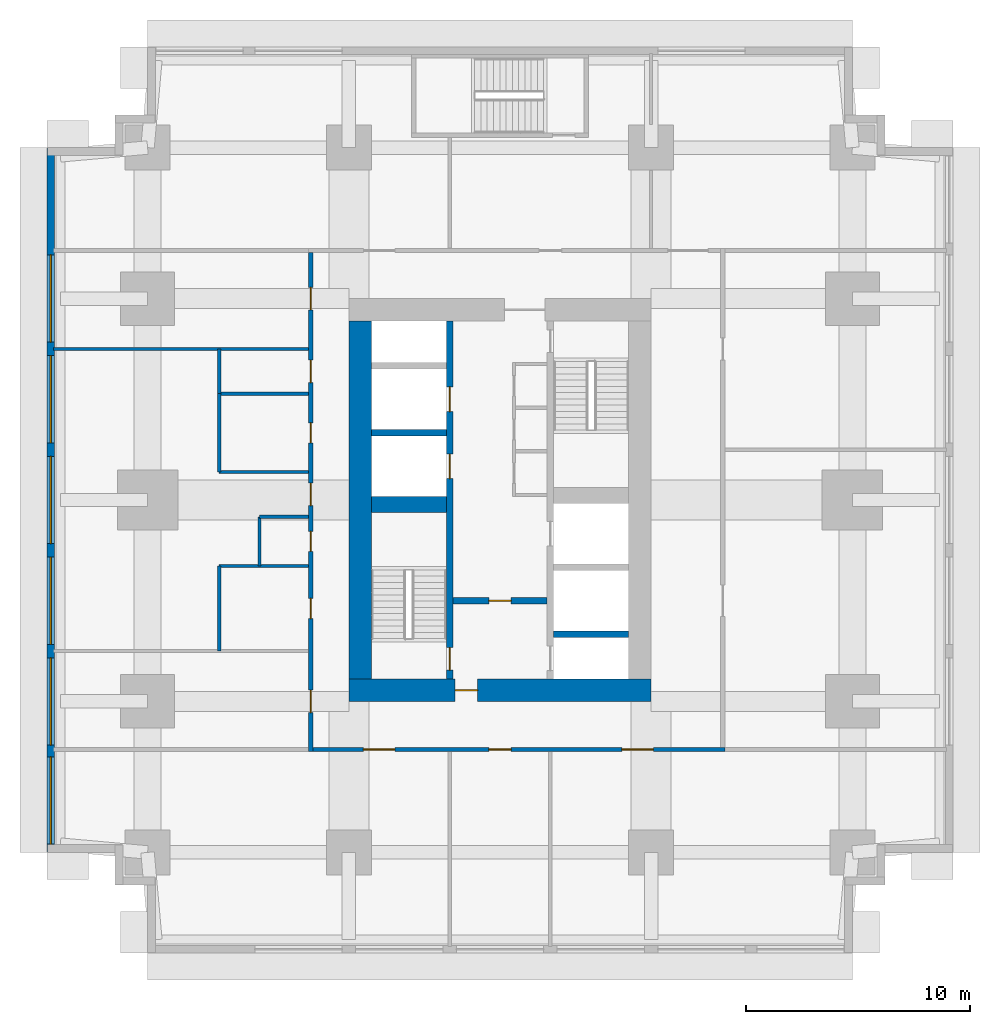
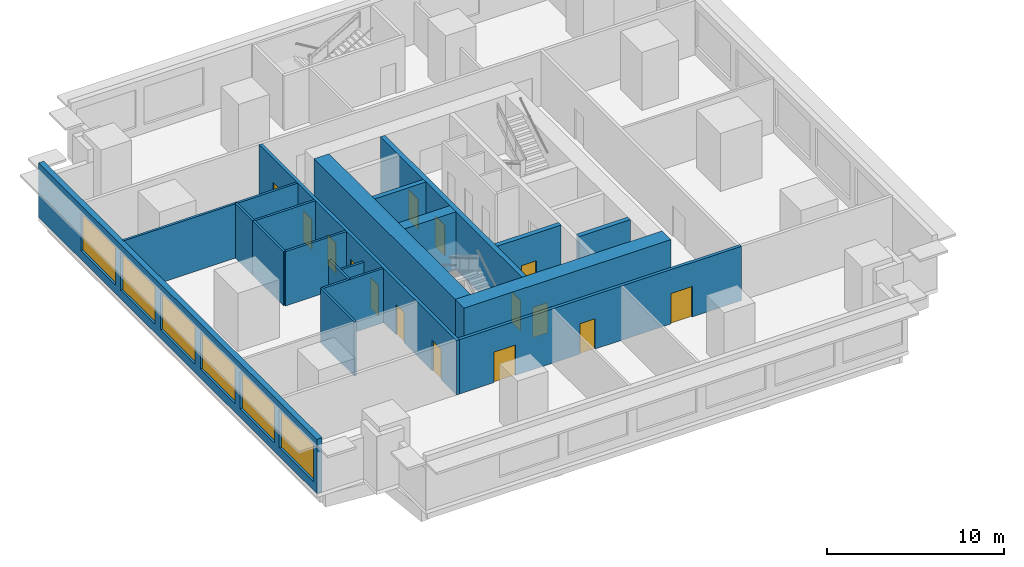
# One storey, part 3 of 11: 19 walls, 15 doors, 6 windows, 21 openings.
"""IFC4 building model written with IfcOpenShell, lengths in metres."""

from ifc_helpers import new_model, si_unit, direction, frame, frame_2d, origin, place, context, subcontext, project, spatial, rectangle, extrude, material, layer, layer_set, type_object, element, fill, save


model = new_model("IFC4")

# Units and contexts
model_context = context("Model", 3, precision=1e-05, world=origin(), true_north=direction((0.0, 1.0)))
body_context = subcontext(model_context, "Body", "Model", "MODEL_VIEW")
ifc_project = project(units=[si_unit("LENGTHUNIT", "METRE"), si_unit("AREAUNIT", "SQUARE_METRE"), si_unit("VOLUMEUNIT", "CUBIC_METRE"), si_unit("PLANEANGLEUNIT", "RADIAN"), si_unit("MASSUNIT", "GRAM", prefix="KILO")], contexts=[model_context])

# Site, building, storey
site_placement = place(None, origin())
site = spatial("IfcSite", under=ifc_project, at=site_placement, CompositionType="ELEMENT")
building_placement = place(site_placement, origin())
building = spatial("IfcBuilding", under=site, at=building_placement, Name="Namib Vertical Campus", CompositionType="ELEMENT")
storey_placement = place(building_placement, frame((0.0, 0.0, 65.0)))
storey = spatial("IfcBuildingStorey", under=building, at=storey_placement, Name="L15", CompositionType="ELEMENT", Elevation=65.0)

# Wall, openings, doors
ifc_material_1 = material(Name="Concrete C60/75", Category="concrete")
ifc_layer_1 = layer(ifc_material_1, 0.300048828125)
ifc_layer_set_1 = layer_set([ifc_layer_1], Name="Concrete C60/75")
wall_type_1 = type_object("IfcWallType", Name="Core inner wall 300", PredefinedType="SHEAR", material=ifc_layer_set_1)
wall_1_placement = place(storey_placement, frame((18.0, 12.25, 0.0), z_axis=(0.0, 0.0, 1.0), x_axis=(0.0, 1.0, 0.0)))
wall_1 = element("IfcWall", 1, at=wall_1_placement, inside=storey, type_object=wall_type_1, Name="Core inner wall A L15 W1", PredefinedType="SHEAR", context=body_context, shape_type="SweptSolid", body=[
    extrude(rectangle(XDim=16.0, YDim=0.300048828125, at=frame_2d((8.0, 0.0))), origin(), (0.0, 0.0, 1.0), 4.0),
])
opening_1_placement = place(wall_1_placement, frame((0.39990234375, 0.0, 0.0)))
opening_1 = element("IfcOpeningElement", 2, at=opening_1_placement, cuts=wall_1, Name="Opening FD1", PredefinedType="OPENING", context=body_context, shape_type="SweptSolid", body=[
    extrude(rectangle(XDim=1.0, YDim=2.10009765625, at=frame_2d((0.5, 1.050048828125))), frame((0.0, 0.159912109375, 0.0), z_axis=(0.0, -1.0, 0.0), x_axis=(1.0, 0.0, 0.0)), (0.0, 0.0, 1.0), 0.320068359375),
])
opening_2_placement = place(wall_1_placement, frame((8.949951171875, 0.0, 0.0)))
opening_2 = element("IfcOpeningElement", 3, at=opening_2_placement, cuts=wall_1, Name="Opening LD1", PredefinedType="OPENING", context=body_context, shape_type="SweptSolid", body=[
    extrude(rectangle(XDim=1.10009765625, YDim=2.10009765625, at=frame_2d((0.550048828125, 1.050048828125))), frame((0.0, 0.159912109375, 0.0), z_axis=(0.0, -1.0, 0.0), x_axis=(1.0, 0.0, 0.0)), (0.0, 0.0, 1.0), 0.320068359375),
])
opening_3_placement = place(wall_1_placement, frame((11.949951171875, 0.0, 0.0)))
opening_3 = element("IfcOpeningElement", 4, at=opening_3_placement, cuts=wall_1, Name="Opening LD1", PredefinedType="OPENING", context=body_context, shape_type="SweptSolid", body=[
    extrude(rectangle(XDim=1.10009765625, YDim=2.10009765625, at=frame_2d((0.550048828125, 1.050048828125))), frame((0.0, 0.159912109375, 0.0), z_axis=(0.0, -1.0, 0.0), x_axis=(1.0, 0.0, 0.0)), (0.0, 0.0, 1.0), 0.320068359375),
])
ifc_material_2 = material(Name="Steel fire door", Category="steel")
door_type_1 = type_object("IfcDoorType", Name="Fire door 1000x2100", OperationType="SINGLE_SWING_RIGHT", PredefinedType="DOOR", material=ifc_material_2)
door_1_placement = place(opening_1_placement, origin())
door_1 = element("IfcDoor", 5, at=door_1_placement, inside=storey, type_object=door_type_1, Name="Stair door FD1 A L15 S1", OperationType="SINGLE_SWING_LEFT", OverallHeight=2.10009765625, OverallWidth=1.0, PredefinedType="DOOR", context=body_context, shape_type="SweptSolid", body=[
    extrude(rectangle(XDim=1.0, YDim=2.10009765625, at=frame_2d((0.5, 1.050048828125))), frame((0.0, 0.02490234375, 0.0), z_axis=(0.0, -1.0, 0.0), x_axis=(1.0, 0.0, 0.0)), (0.0, 0.0, 1.0), 0.050048828125),
])
fill(opening_1, door_1)
ifc_material_3 = material(Name="Stainless steel lift door", Category="steel")
door_type_2 = type_object("IfcDoorType", Name="Lift landing door 1100x2100", OperationType="DOUBLE_DOOR_SLIDING", PredefinedType="DOOR", material=ifc_material_3)
door_2_placement = place(opening_2_placement, origin())
door_2 = element("IfcDoor", 6, at=door_2_placement, inside=storey, type_object=door_type_2, Name="Lift landing door LD1 A-P1 L15", OperationType="DOUBLE_DOOR_SLIDING", OverallHeight=2.10009765625, OverallWidth=1.10009765625, PredefinedType="DOOR", context=body_context, shape_type="SweptSolid", body=[
    extrude(rectangle(XDim=1.10009765625, YDim=2.10009765625, at=frame_2d((0.550048828125, 1.050048828125))), frame((0.0, 0.02490234375, 0.0), z_axis=(0.0, -1.0, 0.0), x_axis=(1.0, 0.0, 0.0)), (0.0, 0.0, 1.0), 0.050048828125),
])
fill(opening_2, door_2)
door_3_placement = place(opening_3_placement, origin())
door_3 = element("IfcDoor", 7, at=door_3_placement, inside=storey, type_object=door_type_2, Name="Lift landing door LD1 A-P2 L15", OperationType="DOUBLE_DOOR_SLIDING", OverallHeight=2.10009765625, OverallWidth=1.10009765625, PredefinedType="DOOR", context=body_context, shape_type="SweptSolid", body=[
    extrude(rectangle(XDim=1.10009765625, YDim=2.10009765625, at=frame_2d((0.550048828125, 1.050048828125))), frame((0.0, 0.02490234375, 0.0), z_axis=(0.0, -1.0, 0.0), x_axis=(1.0, 0.0, 0.0)), (0.0, 0.0, 1.0), 0.050048828125),
])
fill(opening_3, door_3)

# Wall, opening, door
wall_2_placement = place(storey_placement, frame((18.14990234375, 15.75, 0.0), z_axis=(0.0, 0.0, 1.0), x_axis=(1.0, 0.0, 0.0)))
wall_2 = element("IfcWall", 8, at=wall_2_placement, inside=storey, type_object=wall_type_1, Name="Core inner wall A L15 W4", PredefinedType="SHEAR", context=body_context, shape_type="SweptSolid", body=[
    extrude(rectangle(XDim=4.2001953125, YDim=0.300048828125, at=frame_2d((2.10009765625, 0.0))), origin(), (0.0, 0.0, 1.0), 4.0),
])
opening_4_placement = place(wall_2_placement, frame((1.60009765625, 0.0, 0.0)))
opening_4 = element("IfcOpeningElement", 9, at=opening_4_placement, cuts=wall_2, Name="Opening FD5", PredefinedType="OPENING", context=body_context, shape_type="SweptSolid", body=[
    extrude(rectangle(XDim=1.0, YDim=2.10009765625, at=frame_2d((0.5, 1.050048828125))), frame((0.0, 0.159912109375, 0.0), z_axis=(0.0, -1.0, 0.0), x_axis=(1.0, 0.0, 0.0)), (0.0, 0.0, 1.0), 0.320068359375),
])
ifc_material_4 = material(Name="Steel fire door", Category="steel")
door_type_3 = type_object("IfcDoorType", Name="Fire door 1000x2100 120 min", OperationType="SINGLE_SWING_RIGHT", PredefinedType="DOOR", material=ifc_material_4)
door_4_placement = place(opening_4_placement, frame((1.0, 0.0, 0.0), z_axis=(0.0, 0.0, 1.0), x_axis=(-1.0, 0.0, 0.0)))
door_4 = element("IfcDoor", 10, at=door_4_placement, inside=storey, type_object=door_type_3, Name="Lobby door FD5 A L15", OperationType="SINGLE_SWING_RIGHT", OverallHeight=2.10009765625, OverallWidth=1.0, PredefinedType="DOOR", context=body_context, shape_type="SweptSolid", body=[
    extrude(rectangle(XDim=1.0, YDim=2.10009765625, at=frame_2d((0.5, 1.050048828125))), frame((0.0, 0.02490234375, 0.0), z_axis=(0.0, -1.0, 0.0), x_axis=(1.0, 0.0, 0.0)), (0.0, 0.0, 1.0), 0.050048828125),
])
fill(opening_4, door_4)

# Walls
for number, where, z_axis, x_axis, name in (
    (11, (22.64990234375, 14.25, 0.0), (0.0, 0.0, 1.0), (1.0, 0.0, 0.0), "Core inner wall A L15 W5"),
    (12, (14.5, 23.25, 0.0), (0.0, 0.0, 1.0), (1.0, 0.0, 0.0), "Core inner wall A L15 W8"),
):
    element("IfcWall", number, at=place(storey_placement, frame(where, z_axis=z_axis, x_axis=x_axis)), inside=storey, type_object=wall_type_1, Name=name, PredefinedType="SHEAR", context=body_context, shape_type="SweptSolid", body=[
        extrude(rectangle(XDim=3.35009765625, YDim=0.300048828125, at=frame_2d((1.675048828125, 0.0))), origin(), (0.0, 0.0, 1.0), 4.0),
    ])
ifc_material_5 = material(Name="Concrete C60/75", Category="concrete")
ifc_layer_2 = layer(ifc_material_5, 0.699951171875)
ifc_layer_set_2 = layer_set([ifc_layer_2], Name="Concrete C60/75")
wall_type_2 = type_object("IfcWallType", Name="Core shear wall 700", PredefinedType="SHEAR", material=ifc_layer_set_2)
wall_3_placement = place(storey_placement, frame((14.5, 20.050048828125, 0.0), z_axis=(0.0, 0.0, 1.0), x_axis=(1.0, 0.0, 0.0)))
element("IfcWall", 13, at=wall_3_placement, inside=storey, type_object=wall_type_2, Name="Core shear wall A L15 W3", PredefinedType="SHEAR", context=body_context, shape_type="SweptSolid", body=[
    extrude(rectangle(XDim=3.35009765625, YDim=0.699951171875, at=frame_2d((1.675048828125, 0.0))), origin(), (0.0, 0.0, 1.0), 4.0),
])

# Wall, opening, door
ifc_material_6 = material(Name="Concrete C60/75", Category="concrete")
ifc_layer_3 = layer(ifc_material_6, 1.0)
ifc_layer_set_3 = layer_set([ifc_layer_3], Name="Concrete C60/75")
wall_type_3 = type_object("IfcWallType", Name="Core wall 1000", PredefinedType="SHEAR", material=ifc_layer_set_3)
wall_4_placement = place(storey_placement, frame((13.5, 11.75, 0.0), z_axis=(0.0, 0.0, 1.0), x_axis=(1.0, 0.0, 0.0)))
wall_4 = element("IfcWall", 14, at=wall_4_placement, inside=storey, type_object=wall_type_3, Name="Core wall A L15 1", PredefinedType="SHEAR", context=body_context, shape_type="SweptSolid", body=[
    extrude(rectangle(XDim=13.5, YDim=1.0, at=frame_2d((6.75, 0.0))), origin(), (0.0, 0.0, 1.0), 4.0),
])
opening_5_placement = place(wall_4_placement, frame((4.75, 0.0, 0.0)))
opening_5 = element("IfcOpeningElement", 15, at=opening_5_placement, cuts=wall_4, Name="Opening FD5", PredefinedType="OPENING", context=body_context, shape_type="SweptSolid", body=[
    extrude(rectangle(XDim=1.0, YDim=2.10009765625, at=frame_2d((0.5, 1.050048828125))), frame((0.0, 0.510009765625, 0.0), z_axis=(0.0, -1.0, 0.0), x_axis=(1.0, 0.0, 0.0)), (0.0, 0.0, 1.0), 1.02001953125),
])
door_5_placement = place(opening_5_placement, origin())
door_5 = element("IfcDoor", 16, at=door_5_placement, inside=storey, type_object=door_type_3, Name="Firefighting lobby door FD5 A L15", OperationType="SINGLE_SWING_LEFT", OverallHeight=2.10009765625, OverallWidth=1.0, PredefinedType="DOOR", context=body_context, shape_type="SweptSolid", body=[
    extrude(rectangle(XDim=1.0, YDim=2.10009765625, at=frame_2d((0.5, 1.050048828125))), frame((0.0, 0.02490234375, 0.0), z_axis=(0.0, -1.0, 0.0), x_axis=(1.0, 0.0, 0.0)), (0.0, 0.0, 1.0), 0.050048828125),
])
fill(opening_5, door_5)

# Wall
wall_5_placement = place(storey_placement, frame((14.0, 28.25, 0.0), z_axis=(0.0, 0.0, 1.0), x_axis=(0.0, -1.0, 0.0)))
element("IfcWall", 17, at=wall_5_placement, inside=storey, type_object=wall_type_3, Name="Core wall A L15 4", PredefinedType="SHEAR", context=body_context, shape_type="SweptSolid", body=[
    extrude(rectangle(XDim=16.0, YDim=1.0, at=frame_2d((8.0, 0.0))), origin(), (0.0, 0.0, 1.0), 4.0),
])

# Wall, openings, doors
ifc_material_7 = material(Name="Concrete masonry", Category="masonry")
ifc_layer_4 = layer(ifc_material_7, 0.199951171875)
ifc_layer_set_4 = layer_set([ifc_layer_4], Name="Corridor wall 200")
wall_type_4 = type_object("IfcWallType", Name="Corridor wall 200", PredefinedType="SOLIDWALL", material=ifc_layer_set_4)
wall_6_placement = place(storey_placement, frame((11.89990234375, 9.10009765625, 0.0), z_axis=(0.0, 0.0, 1.0), x_axis=(1.0, 0.0, 0.0)))
wall_6 = element("IfcWall", 18, at=wall_6_placement, inside=storey, type_object=wall_type_4, Name="Corridor wall A L15 CS", PredefinedType="SOLIDWALL", context=body_context, shape_type="SweptSolid", body=[
    extrude(rectangle(XDim=18.400146484375, YDim=0.199951171875, at=frame_2d((9.2001953125, 0.0))), origin(), (0.0, 0.0, 1.0), 3.75),
])
opening_6_placement = place(wall_6_placement, frame((2.25, 0.0, 0.0)))
opening_6 = element("IfcOpeningElement", 19, at=opening_6_placement, cuts=wall_6, Name="Opening LB1", PredefinedType="OPENING", context=body_context, shape_type="SweptSolid", body=[
    extrude(rectangle(XDim=1.39990234375, YDim=2.10009765625, at=frame_2d((0.699951171875, 1.050048828125))), frame((0.0, 0.10986328125, 0.0), z_axis=(0.0, -1.0, 0.0), x_axis=(1.0, 0.0, 0.0)), (0.0, 0.0, 1.0), 0.219970703125),
])
opening_7_placement = place(wall_6_placement, frame((7.85009765625, 0.0, 0.0)))
opening_7 = element("IfcOpeningElement", 20, at=opening_7_placement, cuts=wall_6, Name="Opening CD1", PredefinedType="OPENING", context=body_context, shape_type="SweptSolid", body=[
    extrude(rectangle(XDim=1.0, YDim=2.10009765625, at=frame_2d((0.5, 1.050048828125))), frame((0.0, 0.10986328125, 0.0), z_axis=(0.0, -1.0, 0.0), x_axis=(1.0, 0.0, 0.0)), (0.0, 0.0, 1.0), 0.219970703125),
])
opening_8_placement = place(wall_6_placement, frame((13.800048828125, 0.0, 0.0)))
opening_8 = element("IfcOpeningElement", 21, at=opening_8_placement, cuts=wall_6, Name="Opening LB1", PredefinedType="OPENING", context=body_context, shape_type="SweptSolid", body=[
    extrude(rectangle(XDim=1.39990234375, YDim=2.10009765625, at=frame_2d((0.699951171875, 1.050048828125))), frame((0.0, 0.10986328125, 0.0), z_axis=(0.0, -1.0, 0.0), x_axis=(1.0, 0.0, 0.0)), (0.0, 0.0, 1.0), 0.219970703125),
])
ifc_material_8 = material(Name="Timber fire door leaf", Category="wood")
door_type_4 = type_object("IfcDoorType", Name="Corridor door 1000x2100 20 min", OperationType="SINGLE_SWING_LEFT", PredefinedType="DOOR", material=ifc_material_8)
door_6_placement = place(opening_7_placement, frame((1.0, 0.0, 0.0), z_axis=(0.0, 0.0, 1.0), x_axis=(-1.0, 0.0, 0.0)))
door_6 = element("IfcDoor", 22, at=door_6_placement, inside=storey, type_object=door_type_4, Name="Door CD1 A15-02", OperationType="SINGLE_SWING_RIGHT", OverallHeight=2.10009765625, OverallWidth=1.0, PredefinedType="DOOR", context=body_context, shape_type="SweptSolid", body=[
    extrude(rectangle(XDim=1.0, YDim=2.10009765625, at=frame_2d((0.5, 1.050048828125))), frame((0.0, 0.02490234375, 0.0), z_axis=(0.0, -1.0, 0.0), x_axis=(1.0, 0.0, 0.0)), (0.0, 0.0, 1.0), 0.050048828125),
])
fill(opening_7, door_6)
ifc_material_9 = material(Name="Timber fire door leaf", Category="wood")
door_type_5 = type_object("IfcDoorType", Name="Laboratory door 1400x2100 leaf and a half", OperationType="DOUBLE_DOOR_SINGLE_SWING", PredefinedType="DOOR", material=ifc_material_9)
door_7_placement = place(opening_6_placement, frame((1.39990234375, 0.0, 0.0), z_axis=(0.0, 0.0, 1.0), x_axis=(-1.0, 0.0, 0.0)))
door_7 = element("IfcDoor", 23, at=door_7_placement, inside=storey, type_object=door_type_5, Name="Door LB1 A15-01", OperationType="DOUBLE_DOOR_SINGLE_SWING", OverallHeight=2.10009765625, OverallWidth=1.39990234375, PredefinedType="DOOR", context=body_context, shape_type="SweptSolid", body=[
    extrude(rectangle(XDim=1.39990234375, YDim=2.10009765625, at=frame_2d((0.699951171875, 1.050048828125))), frame((0.0, 0.02490234375, 0.0), z_axis=(0.0, -1.0, 0.0), x_axis=(1.0, 0.0, 0.0)), (0.0, 0.0, 1.0), 0.050048828125),
])
fill(opening_6, door_7)
door_8_placement = place(opening_8_placement, frame((1.39990234375, 0.0, 0.0), z_axis=(0.0, 0.0, 1.0), x_axis=(-1.0, 0.0, 0.0)))
door_8 = element("IfcDoor", 24, at=door_8_placement, inside=storey, type_object=door_type_5, Name="Door LB1 A15-03", OperationType="DOUBLE_DOOR_SINGLE_SWING", OverallHeight=2.10009765625, OverallWidth=1.39990234375, PredefinedType="DOOR", context=body_context, shape_type="SweptSolid", body=[
    extrude(rectangle(XDim=1.39990234375, YDim=2.10009765625, at=frame_2d((0.699951171875, 1.050048828125))), frame((0.0, 0.02490234375, 0.0), z_axis=(0.0, -1.0, 0.0), x_axis=(1.0, 0.0, 0.0)), (0.0, 0.0, 1.0), 0.050048828125),
])
fill(opening_8, door_8)

wall_7_placement = place(storey_placement, frame((11.800048828125, 31.300048828125, 0.0), z_axis=(0.0, 0.0, 1.0), x_axis=(0.0, -1.0, 0.0)))
wall_7 = element("IfcWall", 25, at=wall_7_placement, inside=storey, type_object=wall_type_4, Name="Corridor wall A L15 CW", PredefinedType="SOLIDWALL", context=body_context, shape_type="SweptSolid", body=[
    extrude(rectangle(XDim=22.300048828125, YDim=0.199951171875, at=frame_2d((11.14990234375, 0.0))), origin(), (0.0, 0.0, 1.0), 3.75),
])
opening_9_placement = place(wall_7_placement, frame((19.550048828125, 0.0, 0.0)))
opening_9 = element("IfcOpeningElement", 26, at=opening_9_placement, cuts=wall_7, Name="Opening CD1", PredefinedType="OPENING", context=body_context, shape_type="SweptSolid", body=[
    extrude(rectangle(XDim=1.0, YDim=2.10009765625, at=frame_2d((0.5, 1.050048828125))), frame((0.0, 0.10986328125, 0.0), z_axis=(0.0, -1.0, 0.0), x_axis=(1.0, 0.0, 0.0)), (0.0, 0.0, 1.0), 0.219970703125),
])
opening_10_placement = place(wall_7_placement, frame((15.449951171875, 0.0, 0.0)))
opening_10 = element("IfcOpeningElement", 27, at=opening_10_placement, cuts=wall_7, Name="Opening CD3", PredefinedType="OPENING", context=body_context, shape_type="SweptSolid", body=[
    extrude(rectangle(XDim=0.89990234375, YDim=2.10009765625, at=frame_2d((0.449951171875, 1.050048828125))), frame((0.0, 0.10986328125, 0.0), z_axis=(0.0, -1.0, 0.0), x_axis=(1.0, 0.0, 0.0)), (0.0, 0.0, 1.0), 0.219970703125),
])
opening_11_placement = place(wall_7_placement, frame((12.449951171875, 0.0, 0.0)))
opening_11 = element("IfcOpeningElement", 28, at=opening_11_placement, cuts=wall_7, Name="Opening CD3", PredefinedType="OPENING", context=body_context, shape_type="SweptSolid", body=[
    extrude(rectangle(XDim=0.89990234375, YDim=2.10009765625, at=frame_2d((0.449951171875, 1.050048828125))), frame((0.0, 0.10986328125, 0.0), z_axis=(0.0, -1.0, 0.0), x_axis=(1.0, 0.0, 0.0)), (0.0, 0.0, 1.0), 0.219970703125),
])
opening_12_placement = place(wall_7_placement, frame((7.60009765625, 0.0, 0.0)))
opening_12 = element("IfcOpeningElement", 29, at=opening_12_placement, cuts=wall_7, Name="Opening CD3", PredefinedType="OPENING", context=body_context, shape_type="SweptSolid", body=[
    extrude(rectangle(XDim=0.89990234375, YDim=2.10009765625, at=frame_2d((0.449951171875, 1.050048828125))), frame((0.0, 0.10986328125, 0.0), z_axis=(0.0, -1.0, 0.0), x_axis=(1.0, 0.0, 0.0)), (0.0, 0.0, 1.0), 0.219970703125),
])
opening_13_placement = place(wall_7_placement, frame((4.800048828125, 0.0, 0.0)))
opening_13 = element("IfcOpeningElement", 30, at=opening_13_placement, cuts=wall_7, Name="Opening CD1", PredefinedType="OPENING", context=body_context, shape_type="SweptSolid", body=[
    extrude(rectangle(XDim=1.0, YDim=2.10009765625, at=frame_2d((0.5, 1.050048828125))), frame((0.0, 0.10986328125, 0.0), z_axis=(0.0, -1.0, 0.0), x_axis=(1.0, 0.0, 0.0)), (0.0, 0.0, 1.0), 0.219970703125),
])
opening_14_placement = place(wall_7_placement, frame((10.300048828125, 0.0, 0.0)))
opening_14 = element("IfcOpeningElement", 31, at=opening_14_placement, cuts=wall_7, Name="Opening CD1", PredefinedType="OPENING", context=body_context, shape_type="SweptSolid", body=[
    extrude(rectangle(XDim=1.0, YDim=2.10009765625, at=frame_2d((0.5, 1.050048828125))), frame((0.0, 0.10986328125, 0.0), z_axis=(0.0, -1.0, 0.0), x_axis=(1.0, 0.0, 0.0)), (0.0, 0.0, 1.0), 0.219970703125),
])
opening_15_placement = place(wall_7_placement, frame((1.550048828125, 0.0, 0.0)))
opening_15 = element("IfcOpeningElement", 32, at=opening_15_placement, cuts=wall_7, Name="Opening CD1", PredefinedType="OPENING", context=body_context, shape_type="SweptSolid", body=[
    extrude(rectangle(XDim=1.0, YDim=2.10009765625, at=frame_2d((0.5, 1.050048828125))), frame((0.0, 0.10986328125, 0.0), z_axis=(0.0, -1.0, 0.0), x_axis=(1.0, 0.0, 0.0)), (0.0, 0.0, 1.0), 0.219970703125),
])
door_9_placement = place(opening_9_placement, frame((1.0, 0.0, 0.0), z_axis=(0.0, 0.0, 1.0), x_axis=(-1.0, 0.0, 0.0)))
door_9 = element("IfcDoor", 33, at=door_9_placement, inside=storey, type_object=door_type_4, Name="Door CD1 A15-09", OperationType="SINGLE_SWING_RIGHT", OverallHeight=2.10009765625, OverallWidth=1.0, PredefinedType="DOOR", context=body_context, shape_type="SweptSolid", body=[
    extrude(rectangle(XDim=1.0, YDim=2.10009765625, at=frame_2d((0.5, 1.050048828125))), frame((0.0, 0.02490234375, 0.0), z_axis=(0.0, -1.0, 0.0), x_axis=(1.0, 0.0, 0.0)), (0.0, 0.0, 1.0), 0.050048828125),
])
fill(opening_9, door_9)
door_10_placement = place(opening_13_placement, frame((1.0, 0.0, 0.0), z_axis=(0.0, 0.0, 1.0), x_axis=(-1.0, 0.0, 0.0)))
door_10 = element("IfcDoor", 34, at=door_10_placement, inside=storey, type_object=door_type_4, Name="Door CD1 A15-13", OperationType="SINGLE_SWING_RIGHT", OverallHeight=2.10009765625, OverallWidth=1.0, PredefinedType="DOOR", context=body_context, shape_type="SweptSolid", body=[
    extrude(rectangle(XDim=1.0, YDim=2.10009765625, at=frame_2d((0.5, 1.050048828125))), frame((0.0, 0.02490234375, 0.0), z_axis=(0.0, -1.0, 0.0), x_axis=(1.0, 0.0, 0.0)), (0.0, 0.0, 1.0), 0.050048828125),
])
fill(opening_13, door_10)
door_11_placement = place(opening_14_placement, frame((1.0, 0.0, 0.0), z_axis=(0.0, 0.0, 1.0), x_axis=(-1.0, 0.0, 0.0)))
door_11 = element("IfcDoor", 35, at=door_11_placement, inside=storey, type_object=door_type_4, Name="Door CD1 A15-14", OperationType="SINGLE_SWING_RIGHT", OverallHeight=2.10009765625, OverallWidth=1.0, PredefinedType="DOOR", context=body_context, shape_type="SweptSolid", body=[
    extrude(rectangle(XDim=1.0, YDim=2.10009765625, at=frame_2d((0.5, 1.050048828125))), frame((0.0, 0.02490234375, 0.0), z_axis=(0.0, -1.0, 0.0), x_axis=(1.0, 0.0, 0.0)), (0.0, 0.0, 1.0), 0.050048828125),
])
fill(opening_14, door_11)
door_12_placement = place(opening_15_placement, frame((1.0, 0.0, 0.0), z_axis=(0.0, 0.0, 1.0), x_axis=(-1.0, 0.0, 0.0)))
door_12 = element("IfcDoor", 36, at=door_12_placement, inside=storey, type_object=door_type_4, Name="Door CD1 A15-15", OperationType="SINGLE_SWING_RIGHT", OverallHeight=2.10009765625, OverallWidth=1.0, PredefinedType="DOOR", context=body_context, shape_type="SweptSolid", body=[
    extrude(rectangle(XDim=1.0, YDim=2.10009765625, at=frame_2d((0.5, 1.050048828125))), frame((0.0, 0.02490234375, 0.0), z_axis=(0.0, -1.0, 0.0), x_axis=(1.0, 0.0, 0.0)), (0.0, 0.0, 1.0), 0.050048828125),
])
fill(opening_15, door_12)
ifc_material_10 = material(Name="Timber fire door leaf", Category="wood")
door_type_6 = type_object("IfcDoorType", Name="Corridor toilet door 900x2100 20 min", OperationType="SINGLE_SWING_LEFT", PredefinedType="DOOR", material=ifc_material_10)
door_13_placement = place(opening_10_placement, frame((0.89990234375, 0.0, 0.0), z_axis=(0.0, 0.0, 1.0), x_axis=(-1.0, 0.0, 0.0)))
door_13 = element("IfcDoor", 37, at=door_13_placement, inside=storey, type_object=door_type_6, Name="Door CD3 A15-10", OperationType="SINGLE_SWING_RIGHT", OverallHeight=2.10009765625, OverallWidth=0.89990234375, PredefinedType="DOOR", context=body_context, shape_type="SweptSolid", body=[
    extrude(rectangle(XDim=0.89990234375, YDim=2.10009765625, at=frame_2d((0.449951171875, 1.050048828125))), frame((0.0, 0.02490234375, 0.0), z_axis=(0.0, -1.0, 0.0), x_axis=(1.0, 0.0, 0.0)), (0.0, 0.0, 1.0), 0.050048828125),
])
fill(opening_10, door_13)
door_14_placement = place(opening_11_placement, frame((0.89990234375, 0.0, 0.0), z_axis=(0.0, 0.0, 1.0), x_axis=(-1.0, 0.0, 0.0)))
door_14 = element("IfcDoor", 38, at=door_14_placement, inside=storey, type_object=door_type_6, Name="Door CD3 A15-11", OperationType="SINGLE_SWING_RIGHT", OverallHeight=2.10009765625, OverallWidth=0.89990234375, PredefinedType="DOOR", context=body_context, shape_type="SweptSolid", body=[
    extrude(rectangle(XDim=0.89990234375, YDim=2.10009765625, at=frame_2d((0.449951171875, 1.050048828125))), frame((0.0, 0.02490234375, 0.0), z_axis=(0.0, -1.0, 0.0), x_axis=(1.0, 0.0, 0.0)), (0.0, 0.0, 1.0), 0.050048828125),
])
fill(opening_11, door_14)
door_15_placement = place(opening_12_placement, frame((0.89990234375, 0.0, 0.0), z_axis=(0.0, 0.0, 1.0), x_axis=(-1.0, 0.0, 0.0)))
door_15 = element("IfcDoor", 39, at=door_15_placement, inside=storey, type_object=door_type_6, Name="Door CD3 A15-12", OperationType="SINGLE_SWING_RIGHT", OverallHeight=2.10009765625, OverallWidth=0.89990234375, PredefinedType="DOOR", context=body_context, shape_type="SweptSolid", body=[
    extrude(rectangle(XDim=0.89990234375, YDim=2.10009765625, at=frame_2d((0.449951171875, 1.050048828125))), frame((0.0, 0.02490234375, 0.0), z_axis=(0.0, -1.0, 0.0), x_axis=(1.0, 0.0, 0.0)), (0.0, 0.0, 1.0), 0.050048828125),
])
fill(opening_12, door_15)

# Wall, openings, windows
ifc_material_11 = material(Name="Concrete C40/50", Category="concrete")
ifc_layer_5 = layer(ifc_material_11, 0.35009765625)
ifc_layer_set_5 = layer_set([ifc_layer_5], Name="Concrete C40/50")
wall_type_5 = type_object("IfcWallType", Name="External wall 350 bush-hammered concrete", PredefinedType="STANDARD", material=ifc_layer_set_5)
wall_8_placement = place(storey_placement, frame((0.175048828125, 35.97998046875, 0.0), z_axis=(0.0, 0.0, 1.0), x_axis=(0.0, -1.0, 0.0)))
wall_8 = element("IfcWall", 40, at=wall_8_placement, inside=storey, type_object=wall_type_5, Name="External wall L15 F16", PredefinedType="STANDARD", context=body_context, shape_type="SweptSolid", body=[
    extrude(rectangle(XDim=31.4599609375, YDim=0.35009765625, at=frame_2d((15.72998046875, 0.0))), origin(), (0.0, 0.0, 1.0), 3.75),
])
opening_16_placement = place(wall_8_placement, frame((27.2099609375, 0.0, 0.60009765625)))
opening_16 = element("IfcOpeningElement", 41, at=opening_16_placement, cuts=wall_8, Name="Opening W2", PredefinedType="OPENING", context=body_context, shape_type="SweptSolid", body=[
    extrude(rectangle(XDim=3.89990234375, YDim=2.60009765625, at=frame_2d((1.949951171875, 1.300048828125))), frame((0.0, 0.18505859375, 0.0), z_axis=(0.0, -1.0, 0.0), x_axis=(1.0, 0.0, 0.0)), (0.0, 0.0, 1.0), 0.3701171875),
])
opening_17_placement = place(wall_8_placement, frame((22.780029296875, 0.0, 0.60009765625)))
opening_17 = element("IfcOpeningElement", 42, at=opening_17_placement, cuts=wall_8, Name="Opening W2", PredefinedType="OPENING", context=body_context, shape_type="SweptSolid", body=[
    extrude(rectangle(XDim=3.89990234375, YDim=2.60009765625, at=frame_2d((1.949951171875, 1.300048828125))), frame((0.0, 0.18505859375, 0.0), z_axis=(0.0, -1.0, 0.0), x_axis=(1.0, 0.0, 0.0)), (0.0, 0.0, 1.0), 0.3701171875),
])
opening_18_placement = place(wall_8_placement, frame((18.280029296875, 0.0, 0.60009765625)))
opening_18 = element("IfcOpeningElement", 43, at=opening_18_placement, cuts=wall_8, Name="Opening W2", PredefinedType="OPENING", context=body_context, shape_type="SweptSolid", body=[
    extrude(rectangle(XDim=3.89990234375, YDim=2.60009765625, at=frame_2d((1.949951171875, 1.300048828125))), frame((0.0, 0.18505859375, 0.0), z_axis=(0.0, -1.0, 0.0), x_axis=(1.0, 0.0, 0.0)), (0.0, 0.0, 1.0), 0.3701171875),
])
opening_19_placement = place(wall_8_placement, frame((13.780029296875, 0.0, 0.60009765625)))
opening_19 = element("IfcOpeningElement", 44, at=opening_19_placement, cuts=wall_8, Name="Opening W2", PredefinedType="OPENING", context=body_context, shape_type="SweptSolid", body=[
    extrude(rectangle(XDim=3.89990234375, YDim=2.60009765625, at=frame_2d((1.949951171875, 1.300048828125))), frame((0.0, 0.18505859375, 0.0), z_axis=(0.0, -1.0, 0.0), x_axis=(1.0, 0.0, 0.0)), (0.0, 0.0, 1.0), 0.3701171875),
])
opening_20_placement = place(wall_8_placement, frame((9.280029296875, 0.0, 0.60009765625)))
opening_20 = element("IfcOpeningElement", 45, at=opening_20_placement, cuts=wall_8, Name="Opening W2", PredefinedType="OPENING", context=body_context, shape_type="SweptSolid", body=[
    extrude(rectangle(XDim=3.89990234375, YDim=2.60009765625, at=frame_2d((1.949951171875, 1.300048828125))), frame((0.0, 0.18505859375, 0.0), z_axis=(0.0, -1.0, 0.0), x_axis=(1.0, 0.0, 0.0)), (0.0, 0.0, 1.0), 0.3701171875),
])
opening_21_placement = place(wall_8_placement, frame((4.780029296875, 0.0, 0.60009765625)))
opening_21 = element("IfcOpeningElement", 46, at=opening_21_placement, cuts=wall_8, Name="Opening W2", PredefinedType="OPENING", context=body_context, shape_type="SweptSolid", body=[
    extrude(rectangle(XDim=3.89990234375, YDim=2.60009765625, at=frame_2d((1.949951171875, 1.300048828125))), frame((0.0, 0.18505859375, 0.0), z_axis=(0.0, -1.0, 0.0), x_axis=(1.0, 0.0, 0.0)), (0.0, 0.0, 1.0), 0.3701171875),
])
ifc_material_12 = material(Name="Dark tinted glass in black aluminium frame", Category="aluminium")
window_type = type_object("IfcWindowType", Name="Ribbon window 3900x2600", PartitioningType="SINGLE_PANEL", PredefinedType="WINDOW", material=ifc_material_12)
window_1_placement = place(opening_16_placement, origin())
window_1 = element("IfcWindow", 47, at=window_1_placement, inside=storey, type_object=window_type, Name="Window W2 L15 F16-1", OverallHeight=2.60009765625, OverallWidth=3.89990234375, PartitioningType="SINGLE_PANEL", PredefinedType="WINDOW", context=body_context, shape_type="SweptSolid", body=[
    extrude(rectangle(XDim=3.89990234375, YDim=2.60009765625, at=frame_2d((1.949951171875, 1.300048828125))), frame((0.0, 0.030029296875, 0.0), z_axis=(0.0, -1.0, 0.0), x_axis=(1.0, 0.0, 0.0)), (0.0, 0.0, 1.0), 0.06005859375),
])
fill(opening_16, window_1)
window_2_placement = place(opening_17_placement, origin())
window_2 = element("IfcWindow", 48, at=window_2_placement, inside=storey, type_object=window_type, Name="Window W2 L15 F16-2", OverallHeight=2.60009765625, OverallWidth=3.89990234375, PartitioningType="SINGLE_PANEL", PredefinedType="WINDOW", context=body_context, shape_type="SweptSolid", body=[
    extrude(rectangle(XDim=3.89990234375, YDim=2.60009765625, at=frame_2d((1.949951171875, 1.300048828125))), frame((0.0, 0.030029296875, 0.0), z_axis=(0.0, -1.0, 0.0), x_axis=(1.0, 0.0, 0.0)), (0.0, 0.0, 1.0), 0.06005859375),
])
fill(opening_17, window_2)
window_3_placement = place(opening_18_placement, origin())
window_3 = element("IfcWindow", 49, at=window_3_placement, inside=storey, type_object=window_type, Name="Window W2 L15 F16-3", OverallHeight=2.60009765625, OverallWidth=3.89990234375, PartitioningType="SINGLE_PANEL", PredefinedType="WINDOW", context=body_context, shape_type="SweptSolid", body=[
    extrude(rectangle(XDim=3.89990234375, YDim=2.60009765625, at=frame_2d((1.949951171875, 1.300048828125))), frame((0.0, 0.030029296875, 0.0), z_axis=(0.0, -1.0, 0.0), x_axis=(1.0, 0.0, 0.0)), (0.0, 0.0, 1.0), 0.06005859375),
])
fill(opening_18, window_3)
window_4_placement = place(opening_19_placement, origin())
window_4 = element("IfcWindow", 50, at=window_4_placement, inside=storey, type_object=window_type, Name="Window W2 L15 F16-4", OverallHeight=2.60009765625, OverallWidth=3.89990234375, PartitioningType="SINGLE_PANEL", PredefinedType="WINDOW", context=body_context, shape_type="SweptSolid", body=[
    extrude(rectangle(XDim=3.89990234375, YDim=2.60009765625, at=frame_2d((1.949951171875, 1.300048828125))), frame((0.0, 0.030029296875, 0.0), z_axis=(0.0, -1.0, 0.0), x_axis=(1.0, 0.0, 0.0)), (0.0, 0.0, 1.0), 0.06005859375),
])
fill(opening_19, window_4)
window_5_placement = place(opening_20_placement, origin())
window_5 = element("IfcWindow", 51, at=window_5_placement, inside=storey, type_object=window_type, Name="Window W2 L15 F16-5", OverallHeight=2.60009765625, OverallWidth=3.89990234375, PartitioningType="SINGLE_PANEL", PredefinedType="WINDOW", context=body_context, shape_type="SweptSolid", body=[
    extrude(rectangle(XDim=3.89990234375, YDim=2.60009765625, at=frame_2d((1.949951171875, 1.300048828125))), frame((0.0, 0.030029296875, 0.0), z_axis=(0.0, -1.0, 0.0), x_axis=(1.0, 0.0, 0.0)), (0.0, 0.0, 1.0), 0.06005859375),
])
fill(opening_20, window_5)
window_6_placement = place(opening_21_placement, origin())
window_6 = element("IfcWindow", 52, at=window_6_placement, inside=storey, type_object=window_type, Name="Window W2 L15 F16-6", OverallHeight=2.60009765625, OverallWidth=3.89990234375, PartitioningType="SINGLE_PANEL", PredefinedType="WINDOW", context=body_context, shape_type="SweptSolid", body=[
    extrude(rectangle(XDim=3.89990234375, YDim=2.60009765625, at=frame_2d((1.949951171875, 1.300048828125))), frame((0.0, 0.030029296875, 0.0), z_axis=(0.0, -1.0, 0.0), x_axis=(1.0, 0.0, 0.0)), (0.0, 0.0, 1.0), 0.06005859375),
])
fill(opening_21, window_6)

# Walls
ifc_material_13 = material(Name="Gypsum board on steel studs", Category="steel")
ifc_layer_6 = layer(ifc_material_13, 0.14990234375)
ifc_layer_set_6 = layer_set([ifc_layer_6], Name="Gypsum board on steel studs")
wall_type_6 = type_object("IfcWallType", Name="Partition 150", PredefinedType="PARTITIONING", material=ifc_layer_set_6)
wall_9_placement = place(storey_placement, frame((0.300048828125, 27.0, 0.0), z_axis=(0.0, 0.0, 1.0), x_axis=(1.0, 0.0, 0.0)))
element("IfcWall", 53, at=wall_9_placement, inside=storey, type_object=wall_type_6, Name="Partition A L15 PW2", PredefinedType="PARTITIONING", context=body_context, shape_type="SweptSolid", body=[
    extrude(rectangle(XDim=11.39990234375, YDim=0.14990234375, at=frame_2d((5.699951171875, 0.0))), origin(), (0.0, 0.0, 1.0), 3.75),
])
wall_10_placement = place(storey_placement, frame((11.699951171875, 17.300048828125, 0.0), z_axis=(0.0, 0.0, 1.0), x_axis=(-1.0, 0.0, 0.0)))
element("IfcWall", 54, at=wall_10_placement, inside=storey, type_object=wall_type_6, Name="Partition A L15 WR1", PredefinedType="PARTITIONING", context=body_context, shape_type="SweptSolid", body=[
    extrude(rectangle(XDim=4.0, YDim=0.14990234375, at=frame_2d((2.0, 0.0))), origin(), (0.0, 0.0, 1.0), 3.75),
])
wall_11_placement = place(storey_placement, frame((11.699951171875, 19.5, 0.0), z_axis=(0.0, 0.0, 1.0), x_axis=(-1.0, 0.0, 0.0)))
element("IfcWall", 55, at=wall_11_placement, inside=storey, type_object=wall_type_6, Name="Partition A L15 WR2", PredefinedType="PARTITIONING", context=body_context, shape_type="SweptSolid", body=[
    extrude(rectangle(XDim=2.199951171875, YDim=0.14990234375, at=frame_2d((1.10009765625, 0.0))), origin(), (0.0, 0.0, 1.0), 2.85009765625),
])
for number, where, z_axis, x_axis, name in (
    (56, (11.699951171875, 21.5, 0.0), (0.0, 0.0, 1.0), (-1.0, 0.0, 0.0), "Partition A L15 WR3"),
    (57, (11.699951171875, 25.0, 0.0), (0.0, 0.0, 1.0), (-1.0, 0.0, 0.0), "Partition A L15 WR4"),
):
    element("IfcWall", number, at=place(storey_placement, frame(where, z_axis=z_axis, x_axis=x_axis)), inside=storey, type_object=wall_type_6, Name=name, PredefinedType="PARTITIONING", context=body_context, shape_type="SweptSolid", body=[
        extrude(rectangle(XDim=4.0, YDim=0.14990234375, at=frame_2d((2.0, 0.0))), origin(), (0.0, 0.0, 1.0), 3.75),
    ])
wall_12_placement = place(storey_placement, frame((7.699951171875, 13.5, 0.0), z_axis=(0.0, 0.0, 1.0), x_axis=(0.0, 1.0, 0.0)))
element("IfcWall", 58, at=wall_12_placement, inside=storey, type_object=wall_type_6, Name="Partition A L15 WB1", PredefinedType="PARTITIONING", context=body_context, shape_type="SweptSolid", body=[
    extrude(rectangle(XDim=3.800048828125, YDim=0.14990234375, at=frame_2d((1.89990234375, 0.0))), origin(), (0.0, 0.0, 1.0), 3.75),
])
wall_13_placement = place(storey_placement, frame((9.5, 17.300048828125, 0.0), z_axis=(0.0, 0.0, 1.0), x_axis=(0.0, 1.0, 0.0)))
element("IfcWall", 59, at=wall_13_placement, inside=storey, type_object=wall_type_6, Name="Partition A L15 WB2", PredefinedType="PARTITIONING", context=body_context, shape_type="SweptSolid", body=[
    extrude(rectangle(XDim=2.199951171875, YDim=0.14990234375, at=frame_2d((1.10009765625, 0.0))), origin(), (0.0, 0.0, 1.0), 3.75),
])
wall_14_placement = place(storey_placement, frame((7.699951171875, 21.5, 0.0), z_axis=(0.0, 0.0, 1.0), x_axis=(0.0, 1.0, 0.0)))
element("IfcWall", 60, at=wall_14_placement, inside=storey, type_object=wall_type_6, Name="Partition A L15 WB3", PredefinedType="PARTITIONING", context=body_context, shape_type="SweptSolid", body=[
    extrude(rectangle(XDim=3.5, YDim=0.14990234375, at=frame_2d((1.75, 0.0))), origin(), (0.0, 0.0, 1.0), 3.75),
])
wall_15_placement = place(storey_placement, frame((7.699951171875, 25.0, 0.0), z_axis=(0.0, 0.0, 1.0), x_axis=(0.0, 1.0, 0.0)))
element("IfcWall", 61, at=wall_15_placement, inside=storey, type_object=wall_type_6, Name="Partition A L15 WB4", PredefinedType="PARTITIONING", context=body_context, shape_type="SweptSolid", body=[
    extrude(rectangle(XDim=2.0, YDim=0.14990234375, at=frame_2d((1.0, 0.0))), origin(), (0.0, 0.0, 1.0), 3.75),
])

save(model, "model.ifc")
